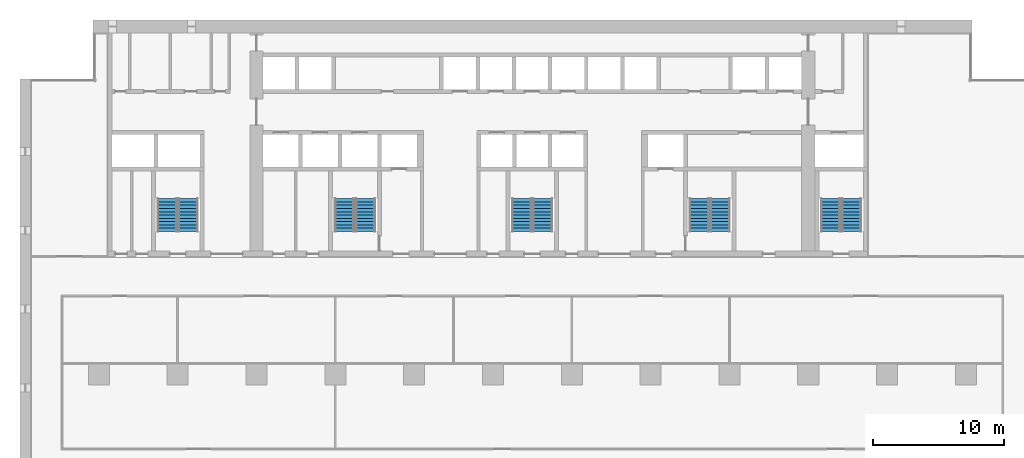
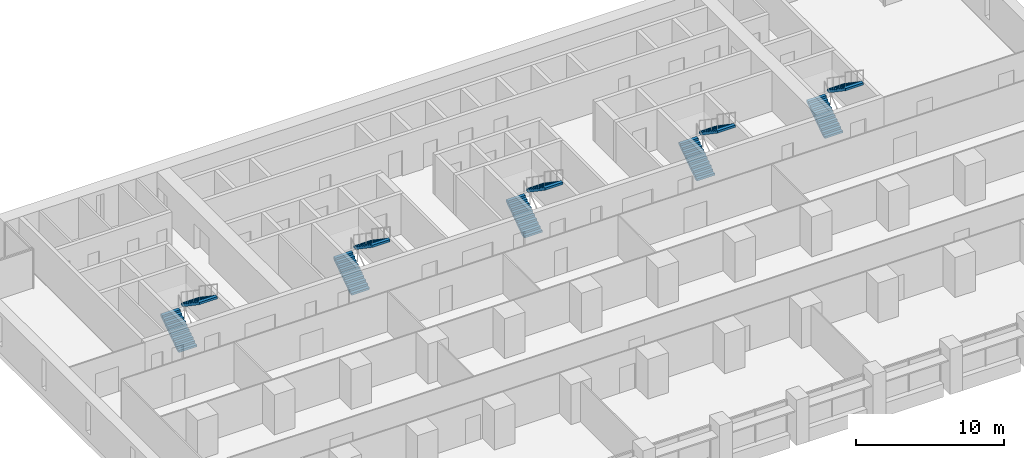
# One storey, part 14 of 17: 10 stair flights, 5 elements without a shape of their own.
"""IFC4 building model written with IfcOpenShell, lengths in metres."""

from ifc_helpers import new_model, si_unit, direction, frame, origin, place, context, subcontext, project, spatial, polyline, outline, extrude, material, type_object, element, aggregate, save


model = new_model("IFC4")

# Units and contexts
model_context = context("Model", 3, precision=1e-05, world=origin(), true_north=direction((0.0, 1.0)))
body_context = subcontext(model_context, "Body", "Model", "MODEL_VIEW")
ifc_project = project(units=[si_unit("LENGTHUNIT", "METRE"), si_unit("AREAUNIT", "SQUARE_METRE"), si_unit("VOLUMEUNIT", "CUBIC_METRE"), si_unit("PLANEANGLEUNIT", "RADIAN"), si_unit("MASSUNIT", "GRAM", prefix="KILO")], contexts=[model_context])

# Site, building, storey
site_placement = place(None, origin())
site = spatial("IfcSite", under=ifc_project, at=site_placement, CompositionType="ELEMENT")
building_placement = place(site_placement, origin())
building = spatial("IfcBuilding", under=site, at=building_placement, Name="Calvaro Tower", CompositionType="ELEMENT")
storey_placement = place(building_placement, frame((0.0, 0.0, 67.5)))
storey = spatial("IfcBuildingStorey", under=building, at=storey_placement, Name="L16", CompositionType="ELEMENT", Elevation=67.5)

# Stair, stair flights
ifc_material_1 = material(Name="Concrete C40/50", Category="concrete")
stair_type = type_object("IfcStairType", Name="Exit stair 1400 2 flights", PredefinedType="HALF_TURN_STAIR", material=ifc_material_1)
stair_1_placement = place(storey_placement, origin())
stair_1 = element("IfcStair", 1, at=stair_1_placement, inside=storey, type_object=stair_type, Name="Exit stair S1", PredefinedType="HALF_TURN_STAIR")
ifc_material_2 = material(Name="Concrete C40/50", Category="concrete")
stair_flight_type = type_object("IfcStairFlightType", Name="Stair flight", PredefinedType="STRAIGHT", material=ifc_material_2)
stair_flight_1_placement = place(storey_placement, frame((11.199951171875, 29.89990234375, 0.0), z_axis=(0.0, 0.0, 1.0), x_axis=(0.0, 1.0, 0.0)))
stair_flight_1 = element("IfcStairFlight", 2, at=stair_flight_1_placement, type_object=stair_flight_type, Name="Exit stair 1, flight 1", NumberOfRisers=11, NumberOfTreads=10, PredefinedType="STRAIGHT", RiserHeight=0.170454545, TreadLength=0.25, context=body_context, shape_type="SweptSolid", body=[
    extrude(outline(polyline([(0.0, 0.0), (0.0, 0.17041015625), (0.25, 0.17041015625), (0.25, 0.3408203125), (0.5, 0.3408203125), (0.5, 0.511474609375), (0.75, 0.511474609375), (0.75, 0.681884765625), (1.0, 0.681884765625), (1.0, 0.852294921875), (1.25, 0.852294921875), (1.25, 1.022705078125), (1.5, 1.022705078125), (1.5, 1.193115234375), (1.75, 1.193115234375), (1.75, 1.363525390625), (2.0, 1.363525390625), (2.0, 1.5341796875), (2.25, 1.5341796875), (2.25, 1.70458984375), (2.5, 1.70458984375), (2.5, 1.875), (2.5, 1.523193359375), (0.26611328125, 0.0), (0.0, 0.0)])), frame((0.0, 0.699951171875, 0.0), z_axis=(0.0, -1.0, 0.0), x_axis=(1.0, 0.0, 0.0)), (0.0, 0.0, 1.0), 1.39990234375),
])
stair_flight_2_placement = place(storey_placement, frame((12.800048828125, 32.39990234375, 1.875), z_axis=(0.0, 0.0, 1.0), x_axis=(0.0, -1.0, 0.0)))
stair_flight_2 = element("IfcStairFlight", 3, at=stair_flight_2_placement, type_object=stair_flight_type, Name="Exit stair 1, flight 2", NumberOfRisers=11, NumberOfTreads=10, PredefinedType="STRAIGHT", RiserHeight=0.170454545, TreadLength=0.25, context=body_context, shape_type="SweptSolid", body=[
    extrude(outline(polyline([(0.0, 0.0), (0.0, 0.17041015625), (0.25, 0.17041015625), (0.25, 0.3408203125), (0.5, 0.3408203125), (0.5, 0.511474609375), (0.75, 0.511474609375), (0.75, 0.681884765625), (1.0, 0.681884765625), (1.0, 0.852294921875), (1.25, 0.852294921875), (1.25, 1.022705078125), (1.5, 1.022705078125), (1.5, 1.193115234375), (1.75, 1.193115234375), (1.75, 1.363525390625), (2.0, 1.363525390625), (2.0, 1.5341796875), (2.25, 1.5341796875), (2.25, 1.70458984375), (2.5, 1.70458984375), (2.5, 1.875), (2.5, 1.523193359375), (0.26611328125, 0.0), (0.0, 0.0)])), frame((0.0, 0.699951171875, 0.0), z_axis=(0.0, -1.0, 0.0), x_axis=(1.0, 0.0, 0.0)), (0.0, 0.0, 1.0), 1.39990234375),
])
aggregate(stair_1, [stair_flight_1, stair_flight_2])

stair_2_placement = place(storey_placement, origin())
stair_2 = element("IfcStair", 4, at=stair_2_placement, inside=storey, type_object=stair_type, Name="Exit stair S2", PredefinedType="HALF_TURN_STAIR")
stair_flight_3_placement = place(storey_placement, frame((24.699951171875, 29.89990234375, 0.0), z_axis=(0.0, 0.0, 1.0), x_axis=(0.0, 1.0, 0.0)))
stair_flight_3 = element("IfcStairFlight", 5, at=stair_flight_3_placement, type_object=stair_flight_type, Name="Exit stair 2, flight 1", NumberOfRisers=11, NumberOfTreads=10, PredefinedType="STRAIGHT", RiserHeight=0.170454545, TreadLength=0.25, context=body_context, shape_type="SweptSolid", body=[
    extrude(outline(polyline([(0.0, 0.0), (0.0, 0.17041015625), (0.25, 0.17041015625), (0.25, 0.3408203125), (0.5, 0.3408203125), (0.5, 0.511474609375), (0.75, 0.511474609375), (0.75, 0.681884765625), (1.0, 0.681884765625), (1.0, 0.852294921875), (1.25, 0.852294921875), (1.25, 1.022705078125), (1.5, 1.022705078125), (1.5, 1.193115234375), (1.75, 1.193115234375), (1.75, 1.363525390625), (2.0, 1.363525390625), (2.0, 1.5341796875), (2.25, 1.5341796875), (2.25, 1.70458984375), (2.5, 1.70458984375), (2.5, 1.875), (2.5, 1.523193359375), (0.26611328125, 0.0), (0.0, 0.0)])), frame((0.0, 0.699951171875, 0.0), z_axis=(0.0, -1.0, 0.0), x_axis=(1.0, 0.0, 0.0)), (0.0, 0.0, 1.0), 1.39990234375),
])
stair_flight_4_placement = place(storey_placement, frame((26.300048828125, 32.39990234375, 1.875), z_axis=(0.0, 0.0, 1.0), x_axis=(0.0, -1.0, 0.0)))
stair_flight_4 = element("IfcStairFlight", 6, at=stair_flight_4_placement, type_object=stair_flight_type, Name="Exit stair 2, flight 2", NumberOfRisers=11, NumberOfTreads=10, PredefinedType="STRAIGHT", RiserHeight=0.170454545, TreadLength=0.25, context=body_context, shape_type="SweptSolid", body=[
    extrude(outline(polyline([(0.0, 0.0), (0.0, 0.17041015625), (0.25, 0.17041015625), (0.25, 0.3408203125), (0.5, 0.3408203125), (0.5, 0.511474609375), (0.75, 0.511474609375), (0.75, 0.681884765625), (1.0, 0.681884765625), (1.0, 0.852294921875), (1.25, 0.852294921875), (1.25, 1.022705078125), (1.5, 1.022705078125), (1.5, 1.193115234375), (1.75, 1.193115234375), (1.75, 1.363525390625), (2.0, 1.363525390625), (2.0, 1.5341796875), (2.25, 1.5341796875), (2.25, 1.70458984375), (2.5, 1.70458984375), (2.5, 1.875), (2.5, 1.523193359375), (0.26611328125, 0.0), (0.0, 0.0)])), frame((0.0, 0.699951171875, 0.0), z_axis=(0.0, -1.0, 0.0), x_axis=(1.0, 0.0, 0.0)), (0.0, 0.0, 1.0), 1.39990234375),
])
aggregate(stair_2, [stair_flight_3, stair_flight_4])

stair_3_placement = place(storey_placement, origin())
stair_3 = element("IfcStair", 7, at=stair_3_placement, inside=storey, type_object=stair_type, Name="Exit stair S3", PredefinedType="HALF_TURN_STAIR")
stair_flight_5_placement = place(storey_placement, frame((38.199951171875, 29.89990234375, 0.0), z_axis=(0.0, 0.0, 1.0), x_axis=(0.0, 1.0, 0.0)))
stair_flight_5 = element("IfcStairFlight", 8, at=stair_flight_5_placement, type_object=stair_flight_type, Name="Exit stair 3, flight 1", NumberOfRisers=11, NumberOfTreads=10, PredefinedType="STRAIGHT", RiserHeight=0.170454545, TreadLength=0.25, context=body_context, shape_type="SweptSolid", body=[
    extrude(outline(polyline([(0.0, 0.0), (0.0, 0.17041015625), (0.25, 0.17041015625), (0.25, 0.3408203125), (0.5, 0.3408203125), (0.5, 0.511474609375), (0.75, 0.511474609375), (0.75, 0.681884765625), (1.0, 0.681884765625), (1.0, 0.852294921875), (1.25, 0.852294921875), (1.25, 1.022705078125), (1.5, 1.022705078125), (1.5, 1.193115234375), (1.75, 1.193115234375), (1.75, 1.363525390625), (2.0, 1.363525390625), (2.0, 1.5341796875), (2.25, 1.5341796875), (2.25, 1.70458984375), (2.5, 1.70458984375), (2.5, 1.875), (2.5, 1.523193359375), (0.26611328125, 0.0), (0.0, 0.0)])), frame((0.0, 0.699951171875, 0.0), z_axis=(0.0, -1.0, 0.0), x_axis=(1.0, 0.0, 0.0)), (0.0, 0.0, 1.0), 1.39990234375),
])
stair_flight_6_placement = place(storey_placement, frame((39.800048828125, 32.39990234375, 1.875), z_axis=(0.0, 0.0, 1.0), x_axis=(0.0, -1.0, 0.0)))
stair_flight_6 = element("IfcStairFlight", 9, at=stair_flight_6_placement, type_object=stair_flight_type, Name="Exit stair 3, flight 2", NumberOfRisers=11, NumberOfTreads=10, PredefinedType="STRAIGHT", RiserHeight=0.170454545, TreadLength=0.25, context=body_context, shape_type="SweptSolid", body=[
    extrude(outline(polyline([(0.0, 0.0), (0.0, 0.17041015625), (0.25, 0.17041015625), (0.25, 0.3408203125), (0.5, 0.3408203125), (0.5, 0.511474609375), (0.75, 0.511474609375), (0.75, 0.681884765625), (1.0, 0.681884765625), (1.0, 0.852294921875), (1.25, 0.852294921875), (1.25, 1.022705078125), (1.5, 1.022705078125), (1.5, 1.193115234375), (1.75, 1.193115234375), (1.75, 1.363525390625), (2.0, 1.363525390625), (2.0, 1.5341796875), (2.25, 1.5341796875), (2.25, 1.70458984375), (2.5, 1.70458984375), (2.5, 1.875), (2.5, 1.523193359375), (0.26611328125, 0.0), (0.0, 0.0)])), frame((0.0, 0.699951171875, 0.0), z_axis=(0.0, -1.0, 0.0), x_axis=(1.0, 0.0, 0.0)), (0.0, 0.0, 1.0), 1.39990234375),
])
aggregate(stair_3, [stair_flight_5, stair_flight_6])

stair_4_placement = place(storey_placement, origin())
stair_4 = element("IfcStair", 10, at=stair_4_placement, inside=storey, type_object=stair_type, Name="Exit stair S4", PredefinedType="HALF_TURN_STAIR")
stair_flight_7_placement = place(storey_placement, frame((51.699951171875, 29.89990234375, 0.0), z_axis=(0.0, 0.0, 1.0), x_axis=(0.0, 1.0, 0.0)))
stair_flight_7 = element("IfcStairFlight", 11, at=stair_flight_7_placement, type_object=stair_flight_type, Name="Exit stair 4, flight 1", NumberOfRisers=11, NumberOfTreads=10, PredefinedType="STRAIGHT", RiserHeight=0.170454545, TreadLength=0.25, context=body_context, shape_type="SweptSolid", body=[
    extrude(outline(polyline([(0.0, 0.0), (0.0, 0.17041015625), (0.25, 0.17041015625), (0.25, 0.3408203125), (0.5, 0.3408203125), (0.5, 0.511474609375), (0.75, 0.511474609375), (0.75, 0.681884765625), (1.0, 0.681884765625), (1.0, 0.852294921875), (1.25, 0.852294921875), (1.25, 1.022705078125), (1.5, 1.022705078125), (1.5, 1.193115234375), (1.75, 1.193115234375), (1.75, 1.363525390625), (2.0, 1.363525390625), (2.0, 1.5341796875), (2.25, 1.5341796875), (2.25, 1.70458984375), (2.5, 1.70458984375), (2.5, 1.875), (2.5, 1.523193359375), (0.26611328125, 0.0), (0.0, 0.0)])), frame((0.0, 0.699951171875, 0.0), z_axis=(0.0, -1.0, 0.0), x_axis=(1.0, 0.0, 0.0)), (0.0, 0.0, 1.0), 1.39990234375),
])
stair_flight_8_placement = place(storey_placement, frame((53.300048828125, 32.39990234375, 1.875), z_axis=(0.0, 0.0, 1.0), x_axis=(0.0, -1.0, 0.0)))
stair_flight_8 = element("IfcStairFlight", 12, at=stair_flight_8_placement, type_object=stair_flight_type, Name="Exit stair 4, flight 2", NumberOfRisers=11, NumberOfTreads=10, PredefinedType="STRAIGHT", RiserHeight=0.170454545, TreadLength=0.25, context=body_context, shape_type="SweptSolid", body=[
    extrude(outline(polyline([(0.0, 0.0), (0.0, 0.17041015625), (0.25, 0.17041015625), (0.25, 0.3408203125), (0.5, 0.3408203125), (0.5, 0.511474609375), (0.75, 0.511474609375), (0.75, 0.681884765625), (1.0, 0.681884765625), (1.0, 0.852294921875), (1.25, 0.852294921875), (1.25, 1.022705078125), (1.5, 1.022705078125), (1.5, 1.193115234375), (1.75, 1.193115234375), (1.75, 1.363525390625), (2.0, 1.363525390625), (2.0, 1.5341796875), (2.25, 1.5341796875), (2.25, 1.70458984375), (2.5, 1.70458984375), (2.5, 1.875), (2.5, 1.523193359375), (0.26611328125, 0.0), (0.0, 0.0)])), frame((0.0, 0.699951171875, 0.0), z_axis=(0.0, -1.0, 0.0), x_axis=(1.0, 0.0, 0.0)), (0.0, 0.0, 1.0), 1.39990234375),
])
aggregate(stair_4, [stair_flight_7, stair_flight_8])

stair_5_placement = place(storey_placement, origin())
stair_5 = element("IfcStair", 13, at=stair_5_placement, inside=storey, type_object=stair_type, Name="Exit stair S5", PredefinedType="HALF_TURN_STAIR")
stair_flight_9_placement = place(storey_placement, frame((61.699951171875, 29.89990234375, 0.0), z_axis=(0.0, 0.0, 1.0), x_axis=(0.0, 1.0, 0.0)))
stair_flight_9 = element("IfcStairFlight", 14, at=stair_flight_9_placement, type_object=stair_flight_type, Name="Exit stair 5, flight 1", NumberOfRisers=11, NumberOfTreads=10, PredefinedType="STRAIGHT", RiserHeight=0.170454545, TreadLength=0.25, context=body_context, shape_type="SweptSolid", body=[
    extrude(outline(polyline([(0.0, 0.0), (0.0, 0.17041015625), (0.25, 0.17041015625), (0.25, 0.3408203125), (0.5, 0.3408203125), (0.5, 0.511474609375), (0.75, 0.511474609375), (0.75, 0.681884765625), (1.0, 0.681884765625), (1.0, 0.852294921875), (1.25, 0.852294921875), (1.25, 1.022705078125), (1.5, 1.022705078125), (1.5, 1.193115234375), (1.75, 1.193115234375), (1.75, 1.363525390625), (2.0, 1.363525390625), (2.0, 1.5341796875), (2.25, 1.5341796875), (2.25, 1.70458984375), (2.5, 1.70458984375), (2.5, 1.875), (2.5, 1.523193359375), (0.26611328125, 0.0), (0.0, 0.0)])), frame((0.0, 0.699951171875, 0.0), z_axis=(0.0, -1.0, 0.0), x_axis=(1.0, 0.0, 0.0)), (0.0, 0.0, 1.0), 1.39990234375),
])
stair_flight_10_placement = place(storey_placement, frame((63.300048828125, 32.39990234375, 1.875), z_axis=(0.0, 0.0, 1.0), x_axis=(0.0, -1.0, 0.0)))
stair_flight_10 = element("IfcStairFlight", 15, at=stair_flight_10_placement, type_object=stair_flight_type, Name="Exit stair 5, flight 2", NumberOfRisers=11, NumberOfTreads=10, PredefinedType="STRAIGHT", RiserHeight=0.170454545, TreadLength=0.25, context=body_context, shape_type="SweptSolid", body=[
    extrude(outline(polyline([(0.0, 0.0), (0.0, 0.17041015625), (0.25, 0.17041015625), (0.25, 0.3408203125), (0.5, 0.3408203125), (0.5, 0.511474609375), (0.75, 0.511474609375), (0.75, 0.681884765625), (1.0, 0.681884765625), (1.0, 0.852294921875), (1.25, 0.852294921875), (1.25, 1.022705078125), (1.5, 1.022705078125), (1.5, 1.193115234375), (1.75, 1.193115234375), (1.75, 1.363525390625), (2.0, 1.363525390625), (2.0, 1.5341796875), (2.25, 1.5341796875), (2.25, 1.70458984375), (2.5, 1.70458984375), (2.5, 1.875), (2.5, 1.523193359375), (0.26611328125, 0.0), (0.0, 0.0)])), frame((0.0, 0.699951171875, 0.0), z_axis=(0.0, -1.0, 0.0), x_axis=(1.0, 0.0, 0.0)), (0.0, 0.0, 1.0), 1.39990234375),
])
aggregate(stair_5, [stair_flight_9, stair_flight_10])

save(model, "model.ifc")
